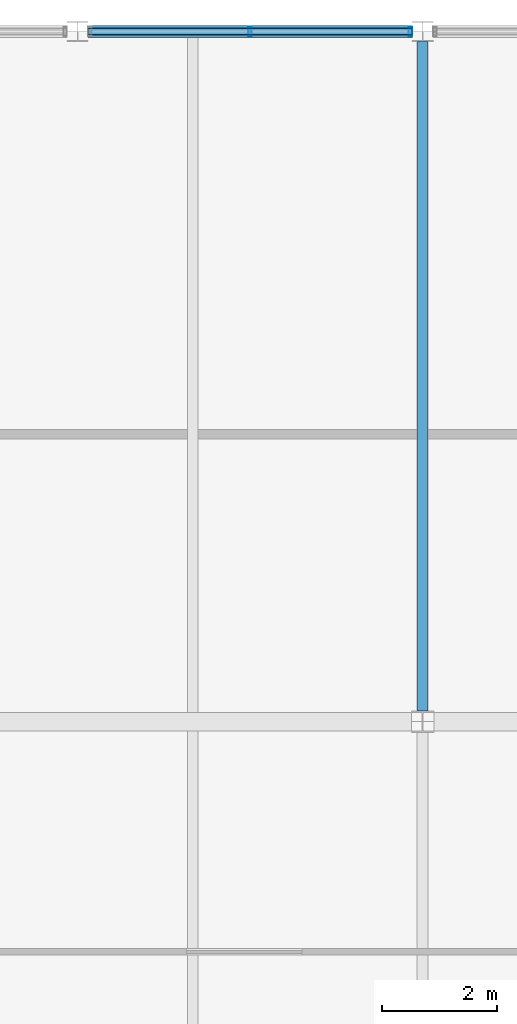
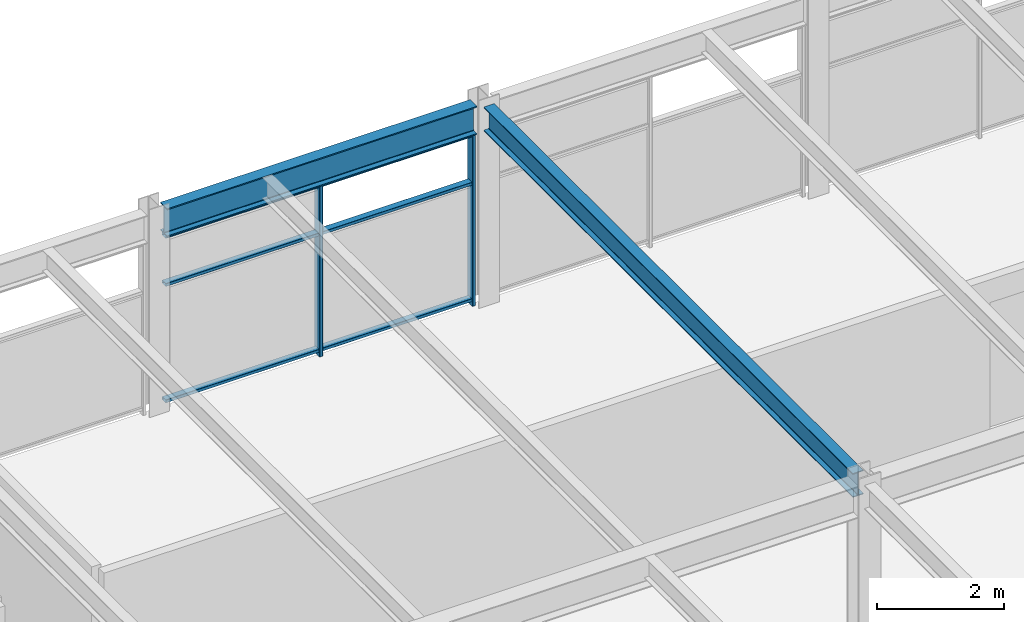
# One storey, part 21 of 40: 5 members, 2 beams, 1 element without a shape of its own.
"""IFC4 building model written with IfcOpenShell, lengths in metres."""

from ifc_helpers import new_model, si_unit, direction, frame, origin, origin_2d, place, context, subcontext, project, spatial, hollow_rectangle, i_section, extrude, material, material_profile, profile_set, type_object, element, aggregate, save


model = new_model("IFC4")

# Units and contexts
model_context = context("Model", 3, precision=1e-05, world=origin(), true_north=direction((0.0, 1.0)))
body_context = subcontext(model_context, "Body", "Model", "MODEL_VIEW")
ifc_project = project(units=[si_unit("LENGTHUNIT", "METRE"), si_unit("AREAUNIT", "SQUARE_METRE"), si_unit("VOLUMEUNIT", "CUBIC_METRE"), si_unit("PLANEANGLEUNIT", "RADIAN"), si_unit("MASSUNIT", "GRAM", prefix="KILO")], contexts=[model_context])

# Site, building, storey
site_placement = place(None, origin())
site = spatial("IfcSite", under=ifc_project, at=site_placement, CompositionType="ELEMENT")
building_placement = place(site_placement, origin())
building = spatial("IfcBuilding", under=site, at=building_placement, Name="Girod Span Mobility Hub", CompositionType="ELEMENT")
storey_placement = place(building_placement, frame((0.0, 0.0, 57.60009765625)))
storey = spatial("IfcBuildingStorey", under=building, at=storey_placement, Name="L14", CompositionType="ELEMENT", Elevation=57.60009765625)

# Beams
ifc_material_1 = material(Name="Steel A992 Grade 50", Category="steel")
ifc_material_profile_1 = material_profile(ifc_material_1, i_section(OverallWidth=0.19189453125, OverallDepth=0.462890625, WebThickness=0.010498046875, FlangeThickness=0.017578125, FilletRadius=0.013916015625, at=origin_2d()), Name="W18X60")
ifc_profile_set_1 = profile_set([ifc_material_profile_1], Name="Steel A992 Grade 50")
beam_type_1 = type_object("IfcBeamType", Name="BM-STL-W18X60", PredefinedType="BEAM", material=ifc_profile_set_1)
beam_1_placement = place(storey_placement, frame((84.0, 57.1845703125, 3.618408203125), z_axis=(0.0, 1.0, 0.0), x_axis=(-1.0, 0.0, 0.0)))
element("IfcBeam", 1, at=beam_1_placement, inside=storey, type_object=beam_type_1, Name="Tie Girder 8/E-F L14", PredefinedType="BEAM", context=body_context, shape_type="SweptSolid", body=[
    extrude(i_section(OverallWidth=0.19189453125, OverallDepth=0.462890625, WebThickness=0.010498046875, FlangeThickness=0.017578125, FilletRadius=0.013916015625, at=origin_2d()), origin(), (0.0, 0.0, 1.0), 11.640380859375),
])
ifc_material_2 = material(Name="Steel A992 Grade 50", Category="steel")
ifc_material_profile_2 = material_profile(ifc_material_2, i_section(OverallWidth=0.2119140625, OverallDepth=0.5439453125, WebThickness=0.01318359375, FlangeThickness=0.021240234375, FilletRadius=0.014892578125, at=origin_2d()), Name="W21X83")
ifc_profile_set_2 = profile_set([ifc_material_profile_2], Name="Steel A992 Grade 50")
beam_type_2 = type_object("IfcBeamType", Name="BM-STL-W21X83", PredefinedType="SPANDREL", material=ifc_profile_set_2)
beam_2_placement = place(storey_placement, frame((78.181396484375, 69.0, 3.577880859375), z_axis=(1.0, 0.0, 0.0), x_axis=(0.0, 1.0, 0.0)))
element("IfcBeam", 2, at=beam_2_placement, inside=storey, type_object=beam_type_2, Name="Spandrel Beam 7-8/F-E L14", PredefinedType="SPANDREL", context=body_context, shape_type="SweptSolid", body=[
    extrude(i_section(OverallWidth=0.2119140625, OverallDepth=0.5439453125, WebThickness=0.01318359375, FlangeThickness=0.021240234375, FilletRadius=0.014892578125, at=origin_2d()), origin(), (0.0, 0.0, 1.0), 5.63720703125),
])

# Curtain wall, members
ifc_material_3 = material(Name="Thermally Broken Anodised Aluminium", Category="aluminium")
curtain_wall_type = type_object("IfcCurtainWallType", Name="CW-564X331", PredefinedType="USERDEFINED", material=ifc_material_3)
curtain_wall_placement = place(storey_placement, origin())
curtain_wall = element("IfcCurtainWall", 3, at=curtain_wall_placement, inside=storey, type_object=curtain_wall_type, Name="Unitised Curtain Wall CW-L14-N07E L14", ObjectType="UNITISED CURTAIN WALL", PredefinedType="USERDEFINED")
ifc_material_4 = material(Name="Thermally Broken Anodised Aluminium", Category="aluminium")
ifc_material_profile_3 = material_profile(ifc_material_4, hollow_rectangle(XDim=0.159912109375, YDim=0.06005859375, WallThickness=0.00341796875, InnerFilletRadius=0.00341796875, OuterFilletRadius=0.007080078125, at=origin_2d()), Name="CW-ML-60X160")
ifc_profile_set_3 = profile_set([ifc_material_profile_3], Name="Thermally Broken Anodised Aluminium")
member_type_1 = type_object("IfcMemberType", Name="CWM-ML-3", PredefinedType="MULLION", material=ifc_profile_set_3)
member_1_placement = place(storey_placement, frame((81.0, 69.0, 0.0), z_axis=(0.0, 0.0, 1.0), x_axis=(0.0, 1.0, 0.0)))
member_1 = element("IfcMember", 4, at=member_1_placement, type_object=member_type_1, Name="Curtain Wall Mullion CW-L14-N07E-M1", PredefinedType="MULLION", context=body_context, shape_type="SweptSolid", body=[
    extrude(hollow_rectangle(XDim=0.159912109375, YDim=0.06005859375, WallThickness=0.00341796875, InnerFilletRadius=0.00341796875, OuterFilletRadius=0.007080078125, at=origin_2d()), origin(), (0.0, 0.0, 1.0), 3.305908203125),
])
member_2_placement = place(storey_placement, frame((83.785400390625, 69.0, 0.0), z_axis=(0.0, 0.0, 1.0), x_axis=(0.0, 1.0, 0.0)))
member_2 = element("IfcMember", 5, at=member_2_placement, type_object=member_type_1, Name="Curtain Wall Mullion CW-L14-N07E-M2", PredefinedType="MULLION", context=body_context, shape_type="SweptSolid", body=[
    extrude(hollow_rectangle(XDim=0.159912109375, YDim=0.06005859375, WallThickness=0.00341796875, InnerFilletRadius=0.00341796875, OuterFilletRadius=0.007080078125, at=origin_2d()), origin(), (0.0, 0.0, 1.0), 3.305908203125),
])
ifc_material_5 = material(Name="Thermally Broken Anodised Aluminium", Category="aluminium")
ifc_material_profile_4 = material_profile(ifc_material_5, hollow_rectangle(XDim=0.1201171875, YDim=0.06005859375, WallThickness=0.00341796875, InnerFilletRadius=0.00341796875, OuterFilletRadius=0.007080078125, at=origin_2d()), Name="CW-TR-60X120")
ifc_profile_set_4 = profile_set([ifc_material_profile_4], Name="Thermally Broken Anodised Aluminium")
member_type_2 = type_object("IfcMemberType", Name="CWM-TR-3", PredefinedType="USERDEFINED", material=ifc_profile_set_4)
member_3_placement = place(storey_placement, frame((78.1826171875, 69.0, 0.10986328125), z_axis=(1.0, 0.0, 0.0), x_axis=(0.0, 1.0, 0.0)))
member_3 = element("IfcMember", 6, at=member_3_placement, type_object=member_type_2, Name="Curtain Wall Transom CW-L14-N07E-T1", ObjectType="TRANSOM", PredefinedType="USERDEFINED", context=body_context, shape_type="SweptSolid", body=[
    extrude(hollow_rectangle(XDim=0.1201171875, YDim=0.06005859375, WallThickness=0.00341796875, InnerFilletRadius=0.00341796875, OuterFilletRadius=0.007080078125, at=origin_2d()), origin(), (0.0, 0.0, 1.0), 5.634765625),
])
member_4_placement = place(storey_placement, frame((78.1826171875, 69.0, 2.35009765625), z_axis=(1.0, 0.0, 0.0), x_axis=(0.0, 1.0, 0.0)))
member_4 = element("IfcMember", 7, at=member_4_placement, type_object=member_type_2, Name="Curtain Wall Transom CW-L14-N07E-T2", ObjectType="TRANSOM", PredefinedType="USERDEFINED", context=body_context, shape_type="SweptSolid", body=[
    extrude(hollow_rectangle(XDim=0.1201171875, YDim=0.06005859375, WallThickness=0.00341796875, InnerFilletRadius=0.00341796875, OuterFilletRadius=0.007080078125, at=origin_2d()), origin(), (0.0, 0.0, 1.0), 5.634765625),
])
member_5_placement = place(storey_placement, frame((78.1826171875, 69.0, 3.27587890625), z_axis=(1.0, 0.0, 0.0), x_axis=(0.0, 1.0, 0.0)))
member_5 = element("IfcMember", 8, at=member_5_placement, type_object=member_type_2, Name="Curtain Wall Transom CW-L14-N07E-T3", ObjectType="TRANSOM", PredefinedType="USERDEFINED", context=body_context, shape_type="SweptSolid", body=[
    extrude(hollow_rectangle(XDim=0.1201171875, YDim=0.06005859375, WallThickness=0.00341796875, InnerFilletRadius=0.00341796875, OuterFilletRadius=0.007080078125, at=origin_2d()), origin(), (0.0, 0.0, 1.0), 5.634765625),
])
aggregate(curtain_wall, [member_1, member_2, member_3, member_4, member_5])

save(model, "model.ifc")
